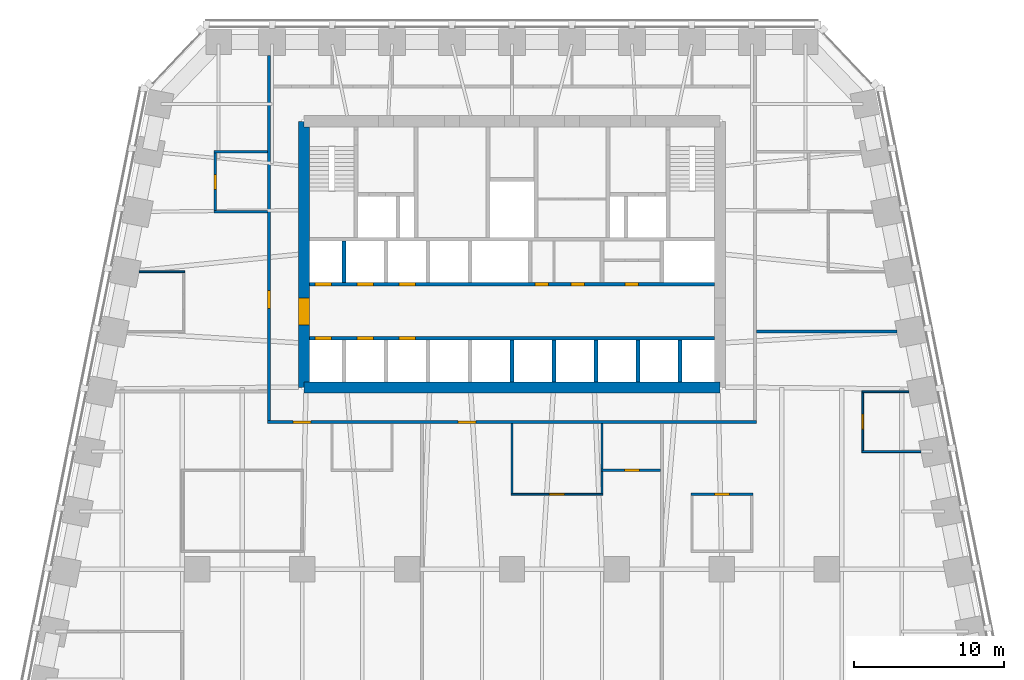
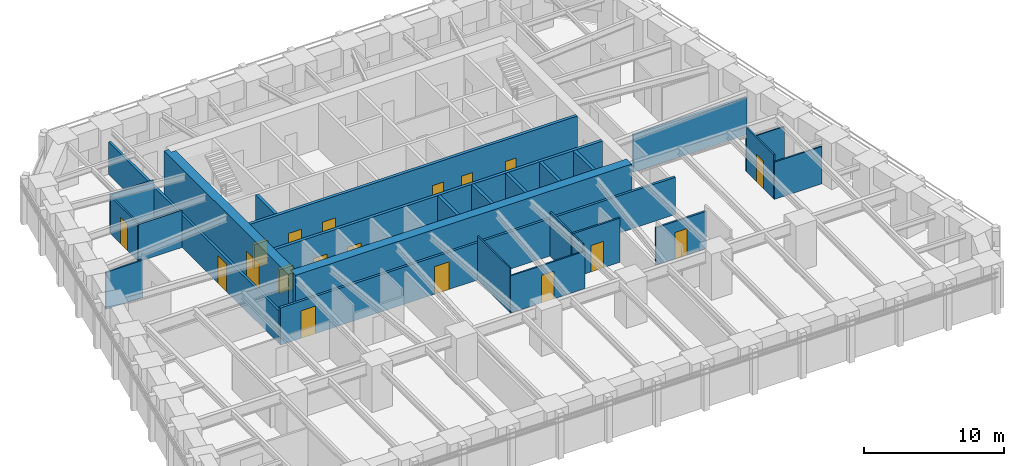
# One storey, part 6 of 10: 26 walls, 18 doors, 18 openings.
"""IFC4 building model written with IfcOpenShell, lengths in metres."""

from ifc_helpers import new_model, si_unit, direction, frame, frame_2d, origin, place, context, subcontext, project, spatial, polyline, rectangle, outline, extrude, material, layer, layer_set, type_object, element, fill, save


model = new_model("IFC4")

# Units and contexts
model_context = context("Model", 3, precision=1e-05, world=origin(), true_north=direction((0.0, 1.0)))
body_context = subcontext(model_context, "Body", "Model", "MODEL_VIEW")
ifc_project = project(units=[si_unit("LENGTHUNIT", "METRE"), si_unit("AREAUNIT", "SQUARE_METRE"), si_unit("VOLUMEUNIT", "CUBIC_METRE"), si_unit("PLANEANGLEUNIT", "RADIAN"), si_unit("MASSUNIT", "GRAM", prefix="KILO")], contexts=[model_context])

# Site, building, storey
site_placement = place(None, origin())
site = spatial("IfcSite", under=ifc_project, at=site_placement, CompositionType="ELEMENT")
building_placement = place(site_placement, origin())
building = spatial("IfcBuilding", under=site, at=building_placement, Name="Isbrekke Arena Tower", CompositionType="ELEMENT")
storey_placement = place(building_placement, frame((0.0, 0.0, 155.0)))
storey = spatial("IfcBuildingStorey", under=building, at=storey_placement, Name="L35", CompositionType="ELEMENT", Elevation=155.0)

# Wall
ifc_material_1 = material(Name="Concrete B55 (C55/67)", Category="concrete")
ifc_layer_1 = layer(ifc_material_1, 0.75)
ifc_layer_set_1 = layer_set([ifc_layer_1], Name="CW3 CORE WALL 750")
wall_type_1 = type_object("IfcWallType", Name="CW3 CORE WALL 750", PredefinedType="SHEAR", material=ifc_layer_set_1)
wall_1_placement = place(storey_placement, frame((-13.875, 6.125, 0.0), z_axis=(0.0, 0.0, 1.0), x_axis=(1.0, 0.0, 0.0)))
element("IfcWall", 1, at=wall_1_placement, inside=storey, type_object=wall_type_1, Name="Core wall S L35", PredefinedType="SHEAR", context=body_context, shape_type="SweptSolid", body=[
    extrude(rectangle(XDim=27.75, YDim=0.75, at=frame_2d((13.875, 0.0))), origin(), (0.0, 0.0, 1.0), 4.0),
])

# Wall, opening, door
wall_2_placement = place(storey_placement, frame((-13.875, 23.875, 0.0), z_axis=(0.0, 0.0, 1.0), x_axis=(0.0, -1.0, 0.0)))
wall_2 = element("IfcWall", 2, at=wall_2_placement, inside=storey, type_object=wall_type_1, Name="Core wall W L35", PredefinedType="SHEAR", context=body_context, shape_type="SweptSolid", body=[
    extrude(outline(polyline([(0.0, -0.375), (17.75, -0.375), (17.75, 0.0), (17.375, 0.0), (17.375, 0.375), (0.375, 0.375), (0.375, 0.0), (0.0, 0.0), (0.0, -0.375)])), origin(), (0.0, 0.0, 1.0), 4.0),
])
opening_1_placement = place(wall_2_placement, frame((11.77490234375, 0.0, 0.0)))
opening_1 = element("IfcOpeningElement", 3, at=opening_1_placement, cuts=wall_2, Name="Opening D1", PredefinedType="OPENING", context=body_context, shape_type="SweptSolid", body=[
    extrude(rectangle(XDim=1.800048828125, YDim=2.39990234375, at=frame_2d((0.89990234375, 1.199951171875))), frame((0.0, 0.389892578125, 0.0), z_axis=(0.0, -1.0, 0.0), x_axis=(1.0, 0.0, 0.0)), (0.0, 0.0, 1.0), 0.77978515625),
])
ifc_material_2 = material(Name="Steel-framed glazed fire door", Category="steel")
door_type_1 = type_object("IfcDoorType", Name="D1 CORE LOBBY DOOR 1800 x 2400", OperationType="DOUBLE_DOOR_SINGLE_SWING", PredefinedType="DOOR", material=ifc_material_2)
door_1_placement = place(opening_1_placement, origin())
door_1 = element("IfcDoor", 4, at=door_1_placement, inside=storey, type_object=door_type_1, Name="D1 lift lobby door west L35", OperationType="DOUBLE_DOOR_SINGLE_SWING", OverallHeight=2.39990234375, OverallWidth=1.800048828125, PredefinedType="DOOR", context=body_context, shape_type="SweptSolid", body=[
    extrude(rectangle(XDim=1.800048828125, YDim=2.39990234375, at=frame_2d((0.89990234375, 1.199951171875))), frame((0.0, 0.374755859375, 0.0), z_axis=(0.0, -1.0, 0.0), x_axis=(1.0, 0.0, 0.0)), (0.0, 0.0, 1.0), 0.74951171875),
])
fill(opening_1, door_1)

# Wall, openings, doors
ifc_material_3 = material(Name="Concrete B45 (C45/55)", Category="concrete")
ifc_layer_2 = layer(ifc_material_3, 0.25)
ifc_layer_set_2 = layer_set([ifc_layer_2], Name="CW6 SHAFT WALL 250")
wall_type_2 = type_object("IfcWallType", Name="CW6 SHAFT WALL 250", PredefinedType="SHEAR", material=ifc_layer_set_2)
wall_3_placement = place(storey_placement, frame((-13.5, 9.39990234375, 0.0), z_axis=(0.0, 0.0, 1.0), x_axis=(1.0, 0.0, 0.0)))
wall_3 = element("IfcWall", 5, at=wall_3_placement, inside=storey, type_object=wall_type_2, Name="Core wall LS L35", PredefinedType="SHEAR", context=body_context, shape_type="SweptSolid", body=[
    extrude(rectangle(XDim=27.0, YDim=0.25, at=frame_2d((13.5, 0.0))), origin(), (0.0, 0.0, 1.0), 4.0),
])
opening_2_placement = place(wall_3_placement, frame((0.35009765625, 0.0, 0.0)))
opening_2 = element("IfcOpeningElement", 6, at=opening_2_placement, cuts=wall_3, Name="Opening LD1", PredefinedType="OPENING", context=body_context, shape_type="SweptSolid", body=[
    extrude(rectangle(XDim=1.10009765625, YDim=2.10009765625, at=frame_2d((0.550048828125, 1.050048828125))), frame((0.0, 0.139892578125, 0.0), z_axis=(0.0, -1.0, 0.0), x_axis=(1.0, 0.0, 0.0)), (0.0, 0.0, 1.0), 0.27978515625),
])
opening_3_placement = place(wall_3_placement, frame((3.14990234375, 0.0, 0.0)))
opening_3 = element("IfcOpeningElement", 7, at=opening_3_placement, cuts=wall_3, Name="Opening LD1", PredefinedType="OPENING", context=body_context, shape_type="SweptSolid", body=[
    extrude(rectangle(XDim=1.10009765625, YDim=2.10009765625, at=frame_2d((0.550048828125, 1.050048828125))), frame((0.0, 0.139892578125, 0.0), z_axis=(0.0, -1.0, 0.0), x_axis=(1.0, 0.0, 0.0)), (0.0, 0.0, 1.0), 0.27978515625),
])
opening_4_placement = place(wall_3_placement, frame((5.949951171875, 0.0, 0.0)))
opening_4 = element("IfcOpeningElement", 8, at=opening_4_placement, cuts=wall_3, Name="Opening LD1", PredefinedType="OPENING", context=body_context, shape_type="SweptSolid", body=[
    extrude(rectangle(XDim=1.10009765625, YDim=2.10009765625, at=frame_2d((0.550048828125, 1.050048828125))), frame((0.0, 0.139892578125, 0.0), z_axis=(0.0, -1.0, 0.0), x_axis=(1.0, 0.0, 0.0)), (0.0, 0.0, 1.0), 0.27978515625),
])
ifc_material_4 = material(Name="Stainless steel lift landing door", Category="steel")
door_type_2 = type_object("IfcDoorType", Name="LD1 LIFT LANDING DOOR 1100 x 2100", OperationType="SLIDING_TO_LEFT", PredefinedType="DOOR", material=ifc_material_4)
door_2_placement = place(opening_2_placement, origin())
door_2 = element("IfcDoor", 9, at=door_2_placement, inside=storey, type_object=door_type_2, Name="LD1 lift landing door LB L35", OperationType="SLIDING_TO_LEFT", OverallHeight=2.10009765625, OverallWidth=1.10009765625, PredefinedType="DOOR", context=body_context, shape_type="SweptSolid", body=[
    extrude(rectangle(XDim=1.10009765625, YDim=2.10009765625, at=frame_2d((0.550048828125, 1.050048828125))), frame((0.0, 0.124755859375, 0.0), z_axis=(0.0, -1.0, 0.0), x_axis=(1.0, 0.0, 0.0)), (0.0, 0.0, 1.0), 0.24951171875),
])
fill(opening_2, door_2)
door_3_placement = place(opening_3_placement, origin())
door_3 = element("IfcDoor", 10, at=door_3_placement, inside=storey, type_object=door_type_2, Name="LD1 lift landing door LB L35", OperationType="SLIDING_TO_LEFT", OverallHeight=2.10009765625, OverallWidth=1.10009765625, PredefinedType="DOOR", context=body_context, shape_type="SweptSolid", body=[
    extrude(rectangle(XDim=1.10009765625, YDim=2.10009765625, at=frame_2d((0.550048828125, 1.050048828125))), frame((0.0, 0.124755859375, 0.0), z_axis=(0.0, -1.0, 0.0), x_axis=(1.0, 0.0, 0.0)), (0.0, 0.0, 1.0), 0.24951171875),
])
fill(opening_3, door_3)
door_4_placement = place(opening_4_placement, origin())
door_4 = element("IfcDoor", 11, at=door_4_placement, inside=storey, type_object=door_type_2, Name="LD1 lift landing door LB L35", OperationType="SLIDING_TO_LEFT", OverallHeight=2.10009765625, OverallWidth=1.10009765625, PredefinedType="DOOR", context=body_context, shape_type="SweptSolid", body=[
    extrude(rectangle(XDim=1.10009765625, YDim=2.10009765625, at=frame_2d((0.550048828125, 1.050048828125))), frame((0.0, 0.124755859375, 0.0), z_axis=(0.0, -1.0, 0.0), x_axis=(1.0, 0.0, 0.0)), (0.0, 0.0, 1.0), 0.24951171875),
])
fill(opening_4, door_4)

wall_4_placement = place(storey_placement, frame((-13.5, 13.0, 0.0), z_axis=(0.0, 0.0, 1.0), x_axis=(1.0, 0.0, 0.0)))
wall_4 = element("IfcWall", 12, at=wall_4_placement, inside=storey, type_object=wall_type_2, Name="Core wall LN L35", PredefinedType="SHEAR", context=body_context, shape_type="SweptSolid", body=[
    extrude(rectangle(XDim=27.0, YDim=0.25, at=frame_2d((13.5, 0.0))), origin(), (0.0, 0.0, 1.0), 4.0),
])
opening_5_placement = place(wall_4_placement, frame((0.35009765625, 0.0, 0.0)))
opening_5 = element("IfcOpeningElement", 13, at=opening_5_placement, cuts=wall_4, Name="Opening LD1", PredefinedType="OPENING", context=body_context, shape_type="SweptSolid", body=[
    extrude(rectangle(XDim=1.10009765625, YDim=2.10009765625, at=frame_2d((0.550048828125, 1.050048828125))), frame((0.0, 0.139892578125, 0.0), z_axis=(0.0, -1.0, 0.0), x_axis=(1.0, 0.0, 0.0)), (0.0, 0.0, 1.0), 0.27978515625),
])
opening_6_placement = place(wall_4_placement, frame((3.14990234375, 0.0, 0.0)))
opening_6 = element("IfcOpeningElement", 14, at=opening_6_placement, cuts=wall_4, Name="Opening LD1", PredefinedType="OPENING", context=body_context, shape_type="SweptSolid", body=[
    extrude(rectangle(XDim=1.10009765625, YDim=2.10009765625, at=frame_2d((0.550048828125, 1.050048828125))), frame((0.0, 0.139892578125, 0.0), z_axis=(0.0, -1.0, 0.0), x_axis=(1.0, 0.0, 0.0)), (0.0, 0.0, 1.0), 0.27978515625),
])
opening_7_placement = place(wall_4_placement, frame((5.949951171875, 0.0, 0.0)))
opening_7 = element("IfcOpeningElement", 15, at=opening_7_placement, cuts=wall_4, Name="Opening LD1", PredefinedType="OPENING", context=body_context, shape_type="SweptSolid", body=[
    extrude(rectangle(XDim=1.10009765625, YDim=2.10009765625, at=frame_2d((0.550048828125, 1.050048828125))), frame((0.0, 0.139892578125, 0.0), z_axis=(0.0, -1.0, 0.0), x_axis=(1.0, 0.0, 0.0)), (0.0, 0.0, 1.0), 0.27978515625),
])
opening_8_placement = place(wall_4_placement, frame((15.050048828125, 0.0, 0.0)))
opening_8 = element("IfcOpeningElement", 16, at=opening_8_placement, cuts=wall_4, Name="Opening D5", PredefinedType="OPENING", context=body_context, shape_type="SweptSolid", body=[
    extrude(rectangle(XDim=0.89990234375, YDim=2.10009765625, at=frame_2d((0.449951171875, 1.050048828125))), frame((0.0, 0.139892578125, 0.0), z_axis=(0.0, -1.0, 0.0), x_axis=(1.0, 0.0, 0.0)), (0.0, 0.0, 1.0), 0.27978515625),
])
opening_9_placement = place(wall_4_placement, frame((17.449951171875, 0.0, 0.0)))
opening_9 = element("IfcOpeningElement", 17, at=opening_9_placement, cuts=wall_4, Name="Opening D5", PredefinedType="OPENING", context=body_context, shape_type="SweptSolid", body=[
    extrude(rectangle(XDim=0.89990234375, YDim=2.10009765625, at=frame_2d((0.449951171875, 1.050048828125))), frame((0.0, 0.139892578125, 0.0), z_axis=(0.0, -1.0, 0.0), x_axis=(1.0, 0.0, 0.0)), (0.0, 0.0, 1.0), 0.27978515625),
])
opening_10_placement = place(wall_4_placement, frame((21.050048828125, 0.0, 0.0)))
opening_10 = element("IfcOpeningElement", 18, at=opening_10_placement, cuts=wall_4, Name="Opening D5", PredefinedType="OPENING", context=body_context, shape_type="SweptSolid", body=[
    extrude(rectangle(XDim=0.89990234375, YDim=2.10009765625, at=frame_2d((0.449951171875, 1.050048828125))), frame((0.0, 0.139892578125, 0.0), z_axis=(0.0, -1.0, 0.0), x_axis=(1.0, 0.0, 0.0)), (0.0, 0.0, 1.0), 0.27978515625),
])
ifc_material_5 = material(Name="Steel fire door", Category="steel")
door_type_3 = type_object("IfcDoorType", Name="D5 SERVICE DOOR 900 x 2100", OperationType="SINGLE_SWING_LEFT", PredefinedType="DOOR", material=ifc_material_5)
door_5_placement = place(opening_8_placement, origin())
door_5 = element("IfcDoor", 19, at=door_5_placement, inside=storey, type_object=door_type_3, Name="D5 cleaner's store door L35", OperationType="SINGLE_SWING_LEFT", OverallHeight=2.10009765625, OverallWidth=0.89990234375, PredefinedType="DOOR", context=body_context, shape_type="SweptSolid", body=[
    extrude(rectangle(XDim=0.89990234375, YDim=2.10009765625, at=frame_2d((0.449951171875, 1.050048828125))), frame((0.0, 0.124755859375, 0.0), z_axis=(0.0, -1.0, 0.0), x_axis=(1.0, 0.0, 0.0)), (0.0, 0.0, 1.0), 0.24951171875),
])
fill(opening_8, door_5)
door_6_placement = place(opening_9_placement, origin())
door_6 = element("IfcDoor", 20, at=door_6_placement, inside=storey, type_object=door_type_3, Name="D5 mothers' room door L35", OperationType="SINGLE_SWING_LEFT", OverallHeight=2.10009765625, OverallWidth=0.89990234375, PredefinedType="DOOR", context=body_context, shape_type="SweptSolid", body=[
    extrude(rectangle(XDim=0.89990234375, YDim=2.10009765625, at=frame_2d((0.449951171875, 1.050048828125))), frame((0.0, 0.124755859375, 0.0), z_axis=(0.0, -1.0, 0.0), x_axis=(1.0, 0.0, 0.0)), (0.0, 0.0, 1.0), 0.24951171875),
])
fill(opening_9, door_6)
door_7_placement = place(opening_10_placement, origin())
door_7 = element("IfcDoor", 21, at=door_7_placement, inside=storey, type_object=door_type_3, Name="D5 communications room door L35", OperationType="SINGLE_SWING_LEFT", OverallHeight=2.10009765625, OverallWidth=0.89990234375, PredefinedType="DOOR", context=body_context, shape_type="SweptSolid", body=[
    extrude(rectangle(XDim=0.89990234375, YDim=2.10009765625, at=frame_2d((0.449951171875, 1.050048828125))), frame((0.0, 0.124755859375, 0.0), z_axis=(0.0, -1.0, 0.0), x_axis=(1.0, 0.0, 0.0)), (0.0, 0.0, 1.0), 0.24951171875),
])
fill(opening_10, door_7)
door_8_placement = place(opening_5_placement, origin())
door_8 = element("IfcDoor", 22, at=door_8_placement, inside=storey, type_object=door_type_2, Name="LD1 lift landing door LB L35", OperationType="SLIDING_TO_LEFT", OverallHeight=2.10009765625, OverallWidth=1.10009765625, PredefinedType="DOOR", context=body_context, shape_type="SweptSolid", body=[
    extrude(rectangle(XDim=1.10009765625, YDim=2.10009765625, at=frame_2d((0.550048828125, 1.050048828125))), frame((0.0, 0.124755859375, 0.0), z_axis=(0.0, -1.0, 0.0), x_axis=(1.0, 0.0, 0.0)), (0.0, 0.0, 1.0), 0.24951171875),
])
fill(opening_5, door_8)
door_9_placement = place(opening_6_placement, origin())
door_9 = element("IfcDoor", 23, at=door_9_placement, inside=storey, type_object=door_type_2, Name="LD1 lift landing door LB L35", OperationType="SLIDING_TO_LEFT", OverallHeight=2.10009765625, OverallWidth=1.10009765625, PredefinedType="DOOR", context=body_context, shape_type="SweptSolid", body=[
    extrude(rectangle(XDim=1.10009765625, YDim=2.10009765625, at=frame_2d((0.550048828125, 1.050048828125))), frame((0.0, 0.124755859375, 0.0), z_axis=(0.0, -1.0, 0.0), x_axis=(1.0, 0.0, 0.0)), (0.0, 0.0, 1.0), 0.24951171875),
])
fill(opening_6, door_9)
door_10_placement = place(opening_7_placement, origin())
door_10 = element("IfcDoor", 24, at=door_10_placement, inside=storey, type_object=door_type_2, Name="LD1 lift landing door LB L35", OperationType="SLIDING_TO_LEFT", OverallHeight=2.10009765625, OverallWidth=1.10009765625, PredefinedType="DOOR", context=body_context, shape_type="SweptSolid", body=[
    extrude(rectangle(XDim=1.10009765625, YDim=2.10009765625, at=frame_2d((0.550048828125, 1.050048828125))), frame((0.0, 0.124755859375, 0.0), z_axis=(0.0, -1.0, 0.0), x_axis=(1.0, 0.0, 0.0)), (0.0, 0.0, 1.0), 0.24951171875),
])
fill(opening_7, door_10)

# Walls
for number, where, z_axis, x_axis, name in (
    (25, (0.0, 6.5, 0.0), (0.0, 0.0, 1.0), (0.0, 1.0, 0.0), "Core wall SS05 L35"),
    (26, (2.800048828125, 6.5, 0.0), (0.0, 0.0, 1.0), (0.0, 1.0, 0.0), "Core wall SS06 L35"),
    (27, (5.60009765625, 6.5, 0.0), (0.0, 0.0, 1.0), (0.0, 1.0, 0.0), "Core wall SS07 L35"),
    (28, (8.39990234375, 6.5, 0.0), (0.0, 0.0, 1.0), (0.0, 1.0, 0.0), "Core wall SS08 L35"),
    (29, (11.199951171875, 6.5, 0.0), (0.0, 0.0, 1.0), (0.0, 1.0, 0.0), "Core wall SS09 L35"),
):
    element("IfcWall", number, at=place(storey_placement, frame(where, z_axis=z_axis, x_axis=x_axis)), inside=storey, type_object=wall_type_2, Name=name, PredefinedType="SHEAR", context=body_context, shape_type="SweptSolid", body=[
        extrude(rectangle(XDim=2.77490234375, YDim=0.25, at=frame_2d((1.387451171875, 0.0))), origin(), (0.0, 0.0, 1.0), 4.0),
    ])
wall_5_placement = place(storey_placement, frame((-11.199951171875, 13.125, 0.0), z_axis=(0.0, 0.0, 1.0), x_axis=(0.0, 1.0, 0.0)))
element("IfcWall", 30, at=wall_5_placement, inside=storey, type_object=wall_type_2, Name="Core wall SN01 L35", PredefinedType="SHEAR", context=body_context, shape_type="SweptSolid", body=[
    extrude(rectangle(XDim=2.75, YDim=0.25, at=frame_2d((1.375, 0.0))), origin(), (0.0, 0.0, 1.0), 4.0),
])

# Wall, opening, door
ifc_material_6 = material(Name="Gypsum board partition on steel studs", Category="steel")
ifc_layer_3 = layer(ifc_material_6, 0.14990234375)
ifc_layer_set_3 = layer_set([ifc_layer_3], Name="IW1 PARTITION 150")
wall_type_3 = type_object("IfcWallType", Name="IW1 PARTITION 150", PredefinedType="PARTITIONING", material=ifc_layer_set_3)
wall_6_placement = place(storey_placement, frame((11.925048828125, -1.0, 0.0), z_axis=(0.0, 0.0, 1.0), x_axis=(1.0, 0.0, 0.0)))
wall_6 = element("IfcWall", 31, at=wall_6_placement, inside=storey, type_object=wall_type_3, Name="IW1 partition 150 L35", PredefinedType="PARTITIONING", context=body_context, shape_type="SweptSolid", body=[
    extrude(rectangle(XDim=4.14990234375, YDim=0.14990234375, at=frame_2d((2.074951171875, 0.0))), origin(), (0.0, 0.0, 1.0), 3.25),
])
opening_11_placement = place(wall_6_placement, frame((1.574951171875, 0.0, 0.0)))
opening_11 = element("IfcOpeningElement", 32, at=opening_11_placement, cuts=wall_6, Name="Opening D10", PredefinedType="OPENING", context=body_context, shape_type="SweptSolid", body=[
    extrude(rectangle(XDim=1.0, YDim=2.300048828125, at=frame_2d((0.5, 1.14990234375))), frame((0.0, 0.08984375, 0.0), z_axis=(0.0, -1.0, 0.0), x_axis=(1.0, 0.0, 0.0)), (0.0, 0.0, 1.0), 0.1796875),
])
ifc_material_7 = material(Name="Timber door", Category="wood")
door_type_4 = type_object("IfcDoorType", Name="D10 OFFICE DOOR 1000 x 2300", OperationType="SINGLE_SWING_LEFT", PredefinedType="DOOR", material=ifc_material_7)
door_11_placement = place(opening_11_placement, origin())
door_11 = element("IfcDoor", 33, at=door_11_placement, inside=storey, type_object=door_type_4, Name="D10 tea point door L35", OperationType="SINGLE_SWING_LEFT", OverallHeight=2.300048828125, OverallWidth=1.0, PredefinedType="DOOR", context=body_context, shape_type="SweptSolid", body=[
    extrude(rectangle(XDim=1.0, YDim=2.300048828125, at=frame_2d((0.5, 1.14990234375))), frame((0.0, 0.07470703125, 0.0), z_axis=(0.0, -1.0, 0.0), x_axis=(1.0, 0.0, 0.0)), (0.0, 0.0, 1.0), 0.1494140625),
])
fill(opening_11, door_11)

wall_7_placement = place(storey_placement, frame((5.925048828125, 0.60009765625, 0.0), z_axis=(0.0, 0.0, 1.0), x_axis=(1.0, 0.0, 0.0)))
wall_7 = element("IfcWall", 34, at=wall_7_placement, inside=storey, type_object=wall_type_3, Name="IW1 partition 150 L35", PredefinedType="PARTITIONING", context=body_context, shape_type="SweptSolid", body=[
    extrude(rectangle(XDim=3.974853515625, YDim=0.14990234375, at=frame_2d((1.9873046875, 0.0))), origin(), (0.0, 0.0, 1.0), 3.85009765625),
])
opening_12_placement = place(wall_7_placement, frame((1.574951171875, 0.0, 0.0)))
opening_12 = element("IfcOpeningElement", 35, at=opening_12_placement, cuts=wall_7, Name="Opening D10", PredefinedType="OPENING", context=body_context, shape_type="SweptSolid", body=[
    extrude(rectangle(XDim=1.0, YDim=2.300048828125, at=frame_2d((0.5, 1.14990234375))), frame((0.0, 0.08984375, 0.0), z_axis=(0.0, -1.0, 0.0), x_axis=(1.0, 0.0, 0.0)), (0.0, 0.0, 1.0), 0.1796875),
])
door_12_placement = place(opening_12_placement, origin())
door_12 = element("IfcDoor", 36, at=door_12_placement, inside=storey, type_object=door_type_4, Name="D10 tea point door L35", OperationType="SINGLE_SWING_LEFT", OverallHeight=2.300048828125, OverallWidth=1.0, PredefinedType="DOOR", context=body_context, shape_type="SweptSolid", body=[
    extrude(rectangle(XDim=1.0, YDim=2.300048828125, at=frame_2d((0.5, 1.14990234375))), frame((0.0, 0.07470703125, 0.0), z_axis=(0.0, -1.0, 0.0), x_axis=(1.0, 0.0, 0.0)), (0.0, 0.0, 1.0), 0.1494140625),
])
fill(opening_12, door_12)

# Walls
wall_8_placement = place(storey_placement, frame((-19.875, 17.840087890625, 0.0), z_axis=(0.0, 0.0, 1.0), x_axis=(1.0, 0.0, 0.0)))
element("IfcWall", 37, at=wall_8_placement, inside=storey, type_object=wall_type_3, Name="IW1 partition 150 L35", PredefinedType="PARTITIONING", context=body_context, shape_type="SweptSolid", body=[
    extrude(rectangle(XDim=3.574951171875, YDim=0.14990234375, at=frame_2d((1.78759765625, 0.0))), origin(), (0.0, 0.0, 1.0), 3.25),
])
wall_9_placement = place(storey_placement, frame((-19.875, 21.840087890625, 0.0), z_axis=(0.0, 0.0, 1.0), x_axis=(1.0, 0.0, 0.0)))
element("IfcWall", 38, at=wall_9_placement, inside=storey, type_object=wall_type_3, Name="IW1 partition 150 L35", PredefinedType="PARTITIONING", context=body_context, shape_type="SweptSolid", body=[
    extrude(rectangle(XDim=3.574951171875, YDim=0.14990234375, at=frame_2d((1.78759765625, 0.0))), origin(), (0.0, 0.0, 1.0), 3.39990234375),
])

# Wall, opening, door
wall_10_placement = place(storey_placement, frame((-19.800048828125, 17.9150390625, 0.0), z_axis=(0.0, 0.0, 1.0), x_axis=(0.0, 1.0, 0.0)))
wall_10 = element("IfcWall", 39, at=wall_10_placement, inside=storey, type_object=wall_type_3, Name="IW1 partition 150 L35", PredefinedType="PARTITIONING", context=body_context, shape_type="SweptSolid", body=[
    extrude(rectangle(XDim=3.849853515625, YDim=0.14990234375, at=frame_2d((1.9248046875, 0.0))), origin(), (0.0, 0.0, 1.0), 3.25),
])
opening_13_placement = place(wall_10_placement, frame((1.425048828125, 0.0, 0.0)))
opening_13 = element("IfcOpeningElement", 40, at=opening_13_placement, cuts=wall_10, Name="Opening D10", PredefinedType="OPENING", context=body_context, shape_type="SweptSolid", body=[
    extrude(rectangle(XDim=1.0, YDim=2.300048828125, at=frame_2d((0.5, 1.14990234375))), frame((0.0, 0.08984375, 0.0), z_axis=(0.0, -1.0, 0.0), x_axis=(1.0, 0.0, 0.0)), (0.0, 0.0, 1.0), 0.1796875),
])
door_13_placement = place(opening_13_placement, origin())
door_13 = element("IfcDoor", 41, at=door_13_placement, inside=storey, type_object=door_type_4, Name="D10 tea point door L35", OperationType="SINGLE_SWING_LEFT", OverallHeight=2.300048828125, OverallWidth=1.0, PredefinedType="DOOR", context=body_context, shape_type="SweptSolid", body=[
    extrude(rectangle(XDim=1.0, YDim=2.300048828125, at=frame_2d((0.5, 1.14990234375))), frame((0.0, 0.07470703125, 0.0), z_axis=(0.0, -1.0, 0.0), x_axis=(1.0, 0.0, 0.0)), (0.0, 0.0, 1.0), 0.1494140625),
])
fill(opening_13, door_13)

# Wall
wall_11_placement = place(storey_placement, frame((6.0, 0.675048828125, 0.0), z_axis=(0.0, 0.0, 1.0), x_axis=(0.0, 1.0, 0.0)))
element("IfcWall", 42, at=wall_11_placement, inside=storey, type_object=wall_type_3, Name="IW1 partition 150 L35", PredefinedType="PARTITIONING", context=body_context, shape_type="SweptSolid", body=[
    extrude(rectangle(XDim=3.02490234375, YDim=0.14990234375, at=frame_2d((1.512451171875, 0.0))), origin(), (0.0, 0.0, 1.0), 3.85009765625),
])

# Wall, opening, door
ifc_material_8 = material(Name="Frameless glazed partition, laminated acoustic glass", Category="glass")
ifc_layer_4 = layer(ifc_material_8, 0.1201171875)
ifc_layer_set_4 = layer_set([ifc_layer_4], Name="IW2 GLAZED PARTITION 120")
wall_type_4 = type_object("IfcWallType", Name="IW2 GLAZED PARTITION 120", PredefinedType="PARTITIONING", material=ifc_layer_set_4)
wall_12_placement = place(storey_placement, frame((-0.06005859375, -1.0, 0.0), z_axis=(0.0, 0.0, 1.0), x_axis=(1.0, 0.0, 0.0)))
wall_12 = element("IfcWall", 43, at=wall_12_placement, inside=storey, type_object=wall_type_4, Name="IW2 glazed partition 120 L35", PredefinedType="PARTITIONING", context=body_context, shape_type="SweptSolid", body=[
    extrude(rectangle(XDim=6.1201171875, YDim=0.1201171875, at=frame_2d((3.06005859375, 0.0))), origin(), (0.0, 0.0, 1.0), 3.25),
])
opening_14_placement = place(wall_12_placement, frame((2.56005859375, 0.0, 0.0)))
opening_14 = element("IfcOpeningElement", 44, at=opening_14_placement, cuts=wall_12, Name="Opening D11", PredefinedType="OPENING", context=body_context, shape_type="SweptSolid", body=[
    extrude(rectangle(XDim=1.0, YDim=2.39990234375, at=frame_2d((0.5, 1.199951171875))), frame((0.0, 0.074951171875, 0.0), z_axis=(0.0, -1.0, 0.0), x_axis=(1.0, 0.0, 0.0)), (0.0, 0.0, 1.0), 0.14990234375),
])
ifc_material_9 = material(Name="Frameless glazed door", Category="glass")
door_type_5 = type_object("IfcDoorType", Name="D11 GLAZED MEETING ROOM DOOR 1000 x 2400", OperationType="SINGLE_SWING_RIGHT", PredefinedType="DOOR", material=ifc_material_9)
door_14_placement = place(opening_14_placement, origin())
door_14 = element("IfcDoor", 45, at=door_14_placement, inside=storey, type_object=door_type_5, Name="D11 meeting room door L35", OperationType="SINGLE_SWING_RIGHT", OverallHeight=2.39990234375, OverallWidth=1.0, PredefinedType="DOOR", context=body_context, shape_type="SweptSolid", body=[
    extrude(rectangle(XDim=1.0, YDim=2.39990234375, at=frame_2d((0.5, 1.199951171875))), frame((0.0, 0.059814453125, 0.0), z_axis=(0.0, -1.0, 0.0), x_axis=(1.0, 0.0, 0.0)), (0.0, 0.0, 1.0), 0.11962890625),
])
fill(opening_14, door_14)

# Walls
wall_13_placement = place(storey_placement, frame((23.340087890625, 1.840087890625, 0.0), z_axis=(0.0, 0.0, 1.0), x_axis=(1.0, 0.0, 0.0)))
element("IfcWall", 46, at=wall_13_placement, inside=storey, type_object=wall_type_4, Name="IW2 glazed partition 120 L35", PredefinedType="PARTITIONING", context=body_context, shape_type="SweptSolid", body=[
    extrude(rectangle(XDim=3.9326171875, YDim=0.1201171875, at=frame_2d((1.96630859375, 0.0))), origin(), (0.0, 0.0, 1.0), 3.25),
])
wall_14_placement = place(storey_placement, frame((23.340087890625, 5.840087890625, 0.0), z_axis=(0.0, 0.0, 1.0), x_axis=(1.0, 0.0, 0.0)))
element("IfcWall", 47, at=wall_14_placement, inside=storey, type_object=wall_type_4, Name="IW2 glazed partition 120 L35", PredefinedType="PARTITIONING", context=body_context, shape_type="SweptSolid", body=[
    extrude(rectangle(XDim=3.1328125, YDim=0.1201171875, at=frame_2d((1.56640625, 0.0))), origin(), (0.0, 0.0, 1.0), 2.842041015625),
])
wall_15_placement = place(storey_placement, frame((-24.872802734375, 13.840087890625, 0.0), z_axis=(0.0, 0.0, 1.0), x_axis=(1.0, 0.0, 0.0)))
element("IfcWall", 48, at=wall_15_placement, inside=storey, type_object=wall_type_4, Name="IW2 glazed partition 120 L35", PredefinedType="PARTITIONING", context=body_context, shape_type="SweptSolid", body=[
    extrude(rectangle(XDim=3.03271484375, YDim=0.1201171875, at=frame_2d((1.516357421875, 0.0))), origin(), (0.0, 0.0, 1.0), 3.25),
])
wall_16_placement = place(storey_placement, frame((0.0, -0.93994140625, 0.0), z_axis=(0.0, 0.0, 1.0), x_axis=(0.0, 1.0, 0.0)))
element("IfcWall", 49, at=wall_16_placement, inside=storey, type_object=wall_type_4, Name="IW2 glazed partition 120 L35", PredefinedType="PARTITIONING", context=body_context, shape_type="SweptSolid", body=[
    extrude(rectangle(XDim=4.639892578125, YDim=0.1201171875, at=frame_2d((2.31982421875, 0.0))), origin(), (0.0, 0.0, 1.0), 3.85009765625),
])
wall_17_placement = place(storey_placement, frame((6.0, -0.93994140625, 0.0), z_axis=(0.0, 0.0, 1.0), x_axis=(0.0, 1.0, 0.0)))
element("IfcWall", 50, at=wall_17_placement, inside=storey, type_object=wall_type_4, Name="IW2 glazed partition 120 L35", PredefinedType="PARTITIONING", context=body_context, shape_type="SweptSolid", body=[
    extrude(rectangle(XDim=1.46484375, YDim=0.1201171875, at=frame_2d((0.732421875, 0.0))), origin(), (0.0, 0.0, 1.0), 3.85009765625),
])

# Wall, opening, door
wall_18_placement = place(storey_placement, frame((23.39990234375, 1.89990234375, 0.0), z_axis=(0.0, 0.0, 1.0), x_axis=(0.0, 1.0, 0.0)))
wall_18 = element("IfcWall", 51, at=wall_18_placement, inside=storey, type_object=wall_type_4, Name="IW2 glazed partition 120 L35", PredefinedType="PARTITIONING", context=body_context, shape_type="SweptSolid", body=[
    extrude(rectangle(XDim=3.880126953125, YDim=0.1201171875, at=frame_2d((1.93994140625, 0.0))), origin(), (0.0, 0.0, 1.0), 3.85009765625),
])
opening_15_placement = place(wall_18_placement, frame((1.43994140625, 0.0, 0.0)))
opening_15 = element("IfcOpeningElement", 52, at=opening_15_placement, cuts=wall_18, Name="Opening D11", PredefinedType="OPENING", context=body_context, shape_type="SweptSolid", body=[
    extrude(rectangle(XDim=1.0, YDim=2.39990234375, at=frame_2d((0.5, 1.199951171875))), frame((0.0, 0.074951171875, 0.0), z_axis=(0.0, -1.0, 0.0), x_axis=(1.0, 0.0, 0.0)), (0.0, 0.0, 1.0), 0.14990234375),
])
door_15_placement = place(opening_15_placement, origin())
door_15 = element("IfcDoor", 53, at=door_15_placement, inside=storey, type_object=door_type_5, Name="D11 meeting room door L35", OperationType="SINGLE_SWING_RIGHT", OverallHeight=2.39990234375, OverallWidth=1.0, PredefinedType="DOOR", context=body_context, shape_type="SweptSolid", body=[
    extrude(rectangle(XDim=1.0, YDim=2.39990234375, at=frame_2d((0.5, 1.199951171875))), frame((0.0, 0.059814453125, 0.0), z_axis=(0.0, -1.0, 0.0), x_axis=(1.0, 0.0, 0.0)), (0.0, 0.0, 1.0), 0.11962890625),
])
fill(opening_15, door_15)

# Wall, openings, doors
ifc_material_10 = material(Name="Gypsum board fire-cell wall on steel studs, two layers each side", Category="steel")
ifc_layer_5 = layer(ifc_material_10, 0.199951171875)
ifc_layer_set_5 = layer_set([ifc_layer_5], Name="IW3 FIRE-CELL WALL 200")
wall_type_5 = type_object("IfcWallType", Name="IW3 FIRE-CELL WALL 200", PredefinedType="PARTITIONING", material=ifc_layer_set_5)
wall_19_placement = place(storey_placement, frame((-16.300048828125, 3.800048828125, 0.0), z_axis=(0.0, 0.0, 1.0), x_axis=(1.0, 0.0, 0.0)))
wall_19 = element("IfcWall", 54, at=wall_19_placement, inside=storey, type_object=wall_type_5, Name="IW3 fire-cell wall 200 L35", PredefinedType="PARTITIONING", context=body_context, shape_type="SweptSolid", body=[
    extrude(rectangle(XDim=32.60009765625, YDim=0.199951171875, at=frame_2d((16.300048828125, 0.0))), origin(), (0.0, 0.0, 1.0), 3.25),
])
opening_16_placement = place(wall_19_placement, frame((1.699951171875, 0.0, 0.0)))
opening_16 = element("IfcOpeningElement", 55, at=opening_16_placement, cuts=wall_19, Name="Opening D12", PredefinedType="OPENING", context=body_context, shape_type="SweptSolid", body=[
    extrude(rectangle(XDim=1.199951171875, YDim=2.39990234375, at=frame_2d((0.60009765625, 1.199951171875))), frame((0.0, 0.11474609375, 0.0), z_axis=(0.0, -1.0, 0.0), x_axis=(1.0, 0.0, 0.0)), (0.0, 0.0, 1.0), 0.229736328125),
])
opening_17_placement = place(wall_19_placement, frame((12.699951171875, 0.0, 0.0)))
opening_17 = element("IfcOpeningElement", 56, at=opening_17_placement, cuts=wall_19, Name="Opening D12", PredefinedType="OPENING", context=body_context, shape_type="SweptSolid", body=[
    extrude(rectangle(XDim=1.199951171875, YDim=2.39990234375, at=frame_2d((0.60009765625, 1.199951171875))), frame((0.0, 0.11474609375, 0.0), z_axis=(0.0, -1.0, 0.0), x_axis=(1.0, 0.0, 0.0)), (0.0, 0.0, 1.0), 0.229736328125),
])
ifc_material_11 = material(Name="Timber fire door with vision panel", Category="wood")
door_type_6 = type_object("IfcDoorType", Name="D12 SUITE ENTRANCE DOOR 1200 x 2400", OperationType="SINGLE_SWING_LEFT", PredefinedType="DOOR", material=ifc_material_11)
door_16_placement = place(opening_16_placement, origin())
door_16 = element("IfcDoor", 57, at=door_16_placement, inside=storey, type_object=door_type_6, Name="D12 suite entrance SW door L35", OperationType="SINGLE_SWING_LEFT", OverallHeight=2.39990234375, OverallWidth=1.199951171875, PredefinedType="DOOR", context=body_context, shape_type="SweptSolid", body=[
    extrude(rectangle(XDim=1.199951171875, YDim=2.39990234375, at=frame_2d((0.60009765625, 1.199951171875))), frame((0.0, 0.099609375, 0.0), z_axis=(0.0, -1.0, 0.0), x_axis=(1.0, 0.0, 0.0)), (0.0, 0.0, 1.0), 0.199462890625),
])
fill(opening_16, door_16)
door_17_placement = place(opening_17_placement, origin())
door_17 = element("IfcDoor", 58, at=door_17_placement, inside=storey, type_object=door_type_6, Name="D12 suite entrance S door L35", OperationType="SINGLE_SWING_LEFT", OverallHeight=2.39990234375, OverallWidth=1.199951171875, PredefinedType="DOOR", context=body_context, shape_type="SweptSolid", body=[
    extrude(rectangle(XDim=1.199951171875, YDim=2.39990234375, at=frame_2d((0.60009765625, 1.199951171875))), frame((0.0, 0.099609375, 0.0), z_axis=(0.0, -1.0, 0.0), x_axis=(1.0, 0.0, 0.0)), (0.0, 0.0, 1.0), 0.199462890625),
])
fill(opening_17, door_17)

# Wall
wall_20_placement = place(storey_placement, frame((16.300048828125, 9.840087890625, 0.0), z_axis=(0.0, 0.0, 1.0), x_axis=(1.0, 0.0, 0.0)))
element("IfcWall", 59, at=wall_20_placement, inside=storey, type_object=wall_type_5, Name="IW3 fire-cell wall 200 L35", PredefinedType="PARTITIONING", context=body_context, shape_type="SweptSolid", body=[
    extrude(rectangle(XDim=9.372802734375, YDim=0.199951171875, at=frame_2d((4.6865234375, 0.0))), origin(), (0.0, 0.0, 1.0), 3.25),
])

# Wall, opening, door
wall_21_placement = place(storey_placement, frame((-16.199951171875, 3.89990234375, 0.0), z_axis=(0.0, 0.0, 1.0), x_axis=(0.0, 1.0, 0.0)))
wall_21 = element("IfcWall", 60, at=wall_21_placement, inside=storey, type_object=wall_type_5, Name="IW3 fire-cell wall 200 L35", PredefinedType="PARTITIONING", context=body_context, shape_type="SweptSolid", body=[
    extrude(rectangle(XDim=24.375, YDim=0.199951171875, at=frame_2d((12.1875, 0.0))), origin(), (0.0, 0.0, 1.0), 2.842041015625),
])
opening_18_placement = place(wall_21_placement, frame((7.5, 0.0, 0.0)))
opening_18 = element("IfcOpeningElement", 61, at=opening_18_placement, cuts=wall_21, Name="Opening D12", PredefinedType="OPENING", context=body_context, shape_type="SweptSolid", body=[
    extrude(rectangle(XDim=1.199951171875, YDim=2.39990234375, at=frame_2d((0.60009765625, 1.199951171875))), frame((0.0, 0.11474609375, 0.0), z_axis=(0.0, -1.0, 0.0), x_axis=(1.0, 0.0, 0.0)), (0.0, 0.0, 1.0), 0.229736328125),
])
door_18_placement = place(opening_18_placement, origin())
door_18 = element("IfcDoor", 62, at=door_18_placement, inside=storey, type_object=door_type_6, Name="D12 suite entrance W door L35", OperationType="SINGLE_SWING_LEFT", OverallHeight=2.39990234375, OverallWidth=1.199951171875, PredefinedType="DOOR", context=body_context, shape_type="SweptSolid", body=[
    extrude(rectangle(XDim=1.199951171875, YDim=2.39990234375, at=frame_2d((0.60009765625, 1.199951171875))), frame((0.0, 0.099609375, 0.0), z_axis=(0.0, -1.0, 0.0), x_axis=(1.0, 0.0, 0.0)), (0.0, 0.0, 1.0), 0.199462890625),
])
fill(opening_18, door_18)

save(model, "model.ifc")
